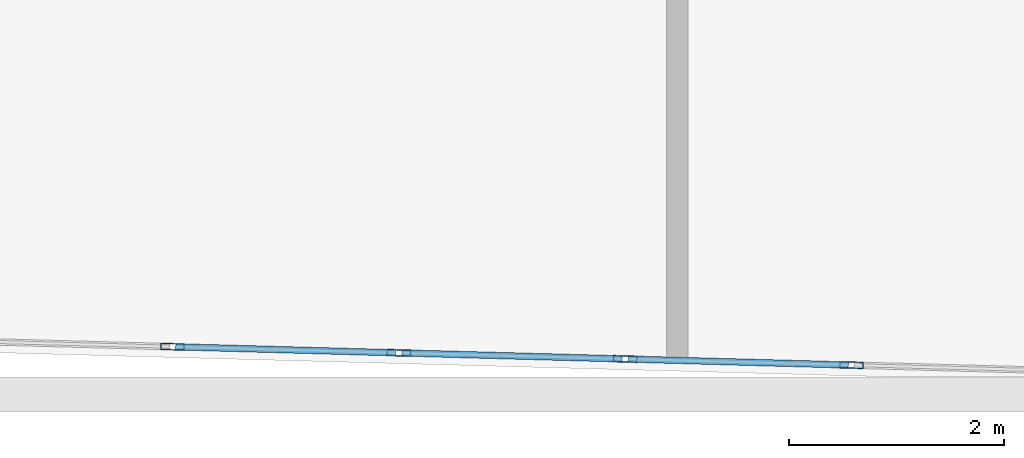
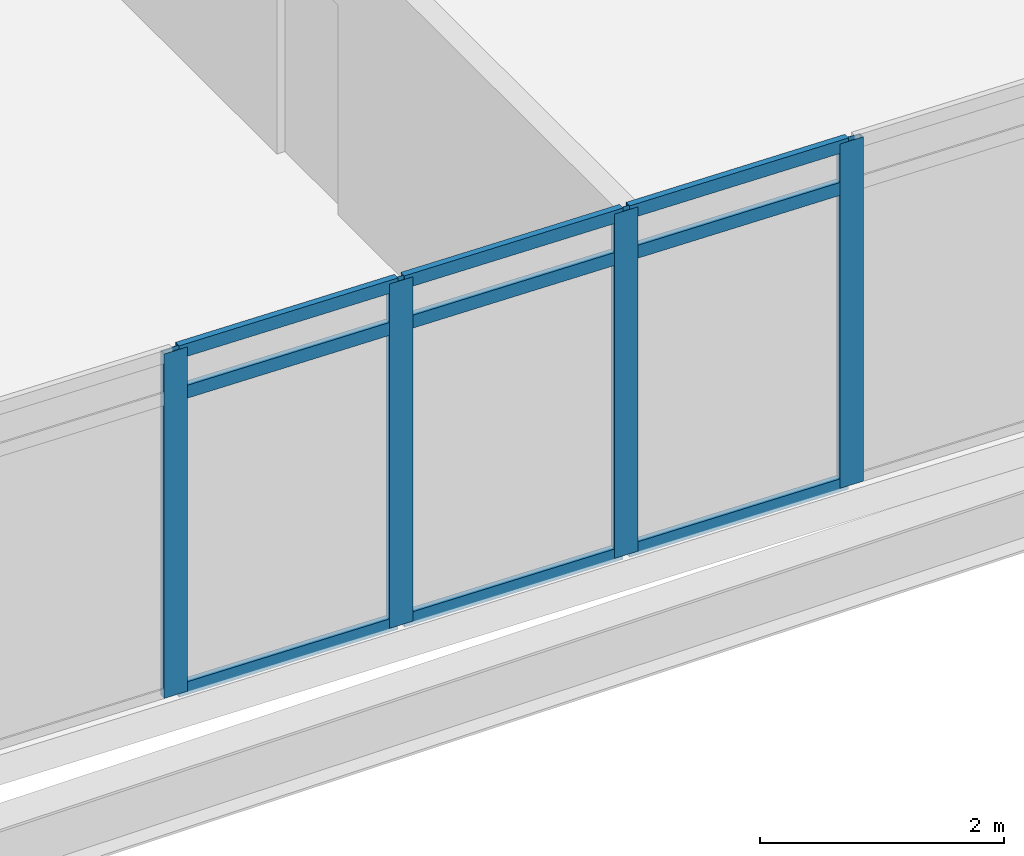
# One storey, part 7 of 28: 13 members, 1 element without a shape of its own.
"""IFC4 building model written with IfcOpenShell, lengths in metres."""

from ifc_helpers import new_model, si_unit, direction, frame, origin, origin_2d, place, context, subcontext, project, spatial, hollow_rectangle, extrude, material, material_profile, profile_set, type_object, element, aggregate, save


model = new_model("IFC4")

# Units and contexts
model_context = context("Model", 3, precision=1e-05, world=origin(), true_north=direction((0.0, 1.0)))
body_context = subcontext(model_context, "Body", "Model", "MODEL_VIEW")
ifc_project = project(units=[si_unit("LENGTHUNIT", "METRE"), si_unit("AREAUNIT", "SQUARE_METRE"), si_unit("VOLUMEUNIT", "CUBIC_METRE"), si_unit("PLANEANGLEUNIT", "RADIAN"), si_unit("MASSUNIT", "GRAM", prefix="KILO")], contexts=[model_context])

# Site, building, storey
site_placement = place(None, origin())
site = spatial("IfcSite", under=ifc_project, at=site_placement, CompositionType="ELEMENT")
building_placement = place(site_placement, origin())
building = spatial("IfcBuilding", under=site, at=building_placement, Name="Ostrander Bayou Hotel Tower", CompositionType="ELEMENT")
storey_placement = place(building_placement, frame((0.0, 0.0, 76.75)))
storey = spatial("IfcBuildingStorey", under=building, at=storey_placement, Name="L19", CompositionType="ELEMENT", Elevation=76.75)

# Curtain wall, members
ifc_material_1 = material(Name="Aluminium and clear glass", Category="aluminium")
curtain_wall_type = type_object("IfcCurtainWallType", Name="CW-BAR glazed wall", PredefinedType="NOTDEFINED", material=ifc_material_1)
curtain_wall_placement = place(storey_placement, origin())
curtain_wall = element("IfcCurtainWall", 1, at=curtain_wall_placement, inside=storey, type_object=curtain_wall_type, Name="CW-BAR L19:SB1S:T", PredefinedType="NOTDEFINED")
ifc_material_2 = material(Name="Aluminium", Category="aluminium")
ifc_material_profile_1 = material_profile(ifc_material_2, hollow_rectangle(XDim=0.06005859375, YDim=0.219970703125, WallThickness=0.00390625, at=origin_2d()))
ifc_profile_set_1 = profile_set([ifc_material_profile_1], Name="Aluminium")
member_type_1 = type_object("IfcMemberType", Name="CW-BR mullion 60 x 220 mm", PredefinedType="MULLION", material=ifc_profile_set_1)
member_1_placement = place(storey_placement, frame((2.101806640625, -32.5068359375, 0.0), z_axis=(0.0, 0.0, 1.0), x_axis=(0.027042484848, 0.999634285133, 0.0)))
member_1 = element("IfcMember", 2, at=member_1_placement, type_object=member_type_1, Name="CW-BAR mullion 9", PredefinedType="MULLION", context=body_context, shape_type="SweptSolid", body=[
    extrude(hollow_rectangle(XDim=0.06005859375, YDim=0.219970703125, WallThickness=0.00390625, at=origin_2d()), origin(), (0.0, 0.0, 1.0), 3.449951171875),
])
member_2_placement = place(storey_placement, frame((4.203369140625, -32.563720703125, 0.0), z_axis=(0.0, 0.0, 1.0), x_axis=(0.027042484848, 0.999634285133, 0.0)))
member_2 = element("IfcMember", 3, at=member_2_placement, type_object=member_type_1, Name="CW-BAR mullion 10", PredefinedType="MULLION", context=body_context, shape_type="SweptSolid", body=[
    extrude(hollow_rectangle(XDim=0.06005859375, YDim=0.219970703125, WallThickness=0.00390625, at=origin_2d()), origin(), (0.0, 0.0, 1.0), 3.449951171875),
])
member_3_placement = place(storey_placement, frame((6.30517578125, -32.62060546875, 0.0), z_axis=(0.0, 0.0, 1.0), x_axis=(0.027042484848, 0.999634285133, 0.0)))
member_3 = element("IfcMember", 4, at=member_3_placement, type_object=member_type_1, Name="CW-BAR mullion 11", PredefinedType="MULLION", context=body_context, shape_type="SweptSolid", body=[
    extrude(hollow_rectangle(XDim=0.06005859375, YDim=0.219970703125, WallThickness=0.00390625, at=origin_2d()), origin(), (0.0, 0.0, 1.0), 3.449951171875),
])
member_4_placement = place(storey_placement, frame((8.406982421875, -32.677490234375, 0.0), z_axis=(0.0, 0.0, 1.0), x_axis=(0.027042484848, 0.999634285133, 0.0)))
member_4 = element("IfcMember", 5, at=member_4_placement, type_object=member_type_1, Name="CW-BAR mullion 12", PredefinedType="MULLION", context=body_context, shape_type="SweptSolid", body=[
    extrude(hollow_rectangle(XDim=0.06005859375, YDim=0.219970703125, WallThickness=0.00390625, at=origin_2d()), origin(), (0.0, 0.0, 1.0), 3.449951171875),
])
ifc_material_3 = material(Name="Aluminium", Category="aluminium")
ifc_material_profile_2 = material_profile(ifc_material_3, hollow_rectangle(XDim=0.06005859375, YDim=0.1298828125, WallThickness=0.00390625, at=origin_2d()))
ifc_profile_set_2 = profile_set([ifc_material_profile_2], Name="Aluminium")
member_type_2 = type_object("IfcMemberType", Name="CW-BR transom 60 x 130 mm", PredefinedType="USERDEFINED", material=ifc_profile_set_2)
member_5_placement = place(storey_placement, frame((2.1318359375, -32.507568359375, 0.030029296875), z_axis=(0.999631822175, -0.027133376017, 0.0), x_axis=(0.027133376017, 0.999631822175, 0.0)))
member_5 = element("IfcMember", 6, at=member_5_placement, type_object=member_type_2, Name="CW-BAR transom 9.1", ObjectType="TRANSOM", PredefinedType="USERDEFINED", context=body_context, shape_type="SweptSolid", body=[
    extrude(hollow_rectangle(XDim=0.06005859375, YDim=0.1298828125, WallThickness=0.00390625, at=origin_2d()), origin(), (0.0, 0.0, 1.0), 2.04248046875),
])
member_6_placement = place(storey_placement, frame((2.1318359375, -32.507568359375, 3.0), z_axis=(0.999631822175, -0.027133376017, 0.0), x_axis=(0.027133376017, 0.999631822175, 0.0)))
member_6 = element("IfcMember", 7, at=member_6_placement, type_object=member_type_2, Name="CW-BAR transom 9.2", ObjectType="TRANSOM", PredefinedType="USERDEFINED", context=body_context, shape_type="SweptSolid", body=[
    extrude(hollow_rectangle(XDim=0.06005859375, YDim=0.1298828125, WallThickness=0.00390625, at=origin_2d()), origin(), (0.0, 0.0, 1.0), 2.04248046875),
])
member_7_placement = place(storey_placement, frame((2.1318359375, -32.507568359375, 3.419921875), z_axis=(0.999631822175, -0.027133376017, 0.0), x_axis=(0.027133376017, 0.999631822175, 0.0)))
member_7 = element("IfcMember", 8, at=member_7_placement, type_object=member_type_2, Name="CW-BAR transom 9.3", ObjectType="TRANSOM", PredefinedType="USERDEFINED", context=body_context, shape_type="SweptSolid", body=[
    extrude(hollow_rectangle(XDim=0.06005859375, YDim=0.1298828125, WallThickness=0.00390625, at=origin_2d()), origin(), (0.0, 0.0, 1.0), 2.04248046875),
])
member_8_placement = place(storey_placement, frame((4.2333984375, -32.564453125, 0.030029296875), z_axis=(0.999631822175, -0.027133376017, 0.0), x_axis=(0.027133376017, 0.999631822175, 0.0)))
member_8 = element("IfcMember", 9, at=member_8_placement, type_object=member_type_2, Name="CW-BAR transom 10.1", ObjectType="TRANSOM", PredefinedType="USERDEFINED", context=body_context, shape_type="SweptSolid", body=[
    extrude(hollow_rectangle(XDim=0.06005859375, YDim=0.1298828125, WallThickness=0.00390625, at=origin_2d()), origin(), (0.0, 0.0, 1.0), 2.04248046875),
])
member_9_placement = place(storey_placement, frame((4.2333984375, -32.564453125, 3.0), z_axis=(0.999631822175, -0.027133376017, 0.0), x_axis=(0.027133376017, 0.999631822175, 0.0)))
member_9 = element("IfcMember", 10, at=member_9_placement, type_object=member_type_2, Name="CW-BAR transom 10.2", ObjectType="TRANSOM", PredefinedType="USERDEFINED", context=body_context, shape_type="SweptSolid", body=[
    extrude(hollow_rectangle(XDim=0.06005859375, YDim=0.1298828125, WallThickness=0.00390625, at=origin_2d()), origin(), (0.0, 0.0, 1.0), 2.04248046875),
])
member_10_placement = place(storey_placement, frame((4.2333984375, -32.564453125, 3.419921875), z_axis=(0.999631822175, -0.027133376017, 0.0), x_axis=(0.027133376017, 0.999631822175, 0.0)))
member_10 = element("IfcMember", 11, at=member_10_placement, type_object=member_type_2, Name="CW-BAR transom 10.3", ObjectType="TRANSOM", PredefinedType="USERDEFINED", context=body_context, shape_type="SweptSolid", body=[
    extrude(hollow_rectangle(XDim=0.06005859375, YDim=0.1298828125, WallThickness=0.00390625, at=origin_2d()), origin(), (0.0, 0.0, 1.0), 2.04248046875),
])
member_11_placement = place(storey_placement, frame((6.335205078125, -32.621337890625, 0.030029296875), z_axis=(0.999635057116, -0.027013933147, 0.0), x_axis=(0.027013933147, 0.999635057116, 0.0)))
member_11 = element("IfcMember", 12, at=member_11_placement, type_object=member_type_2, Name="CW-BAR transom 11.1", ObjectType="TRANSOM", PredefinedType="USERDEFINED", context=body_context, shape_type="SweptSolid", body=[
    extrude(hollow_rectangle(XDim=0.06005859375, YDim=0.1298828125, WallThickness=0.00390625, at=origin_2d()), origin(), (0.0, 0.0, 1.0), 2.04248046875),
])
member_12_placement = place(storey_placement, frame((6.335205078125, -32.621337890625, 3.0), z_axis=(0.999635057116, -0.027013933147, 0.0), x_axis=(0.027013933147, 0.999635057116, 0.0)))
member_12 = element("IfcMember", 13, at=member_12_placement, type_object=member_type_2, Name="CW-BAR transom 11.2", ObjectType="TRANSOM", PredefinedType="USERDEFINED", context=body_context, shape_type="SweptSolid", body=[
    extrude(hollow_rectangle(XDim=0.06005859375, YDim=0.1298828125, WallThickness=0.00390625, at=origin_2d()), origin(), (0.0, 0.0, 1.0), 2.04248046875),
])
member_13_placement = place(storey_placement, frame((6.335205078125, -32.621337890625, 3.419921875), z_axis=(0.999635057116, -0.027013933147, 0.0), x_axis=(0.027013933147, 0.999635057116, 0.0)))
member_13 = element("IfcMember", 14, at=member_13_placement, type_object=member_type_2, Name="CW-BAR transom 11.3", ObjectType="TRANSOM", PredefinedType="USERDEFINED", context=body_context, shape_type="SweptSolid", body=[
    extrude(hollow_rectangle(XDim=0.06005859375, YDim=0.1298828125, WallThickness=0.00390625, at=origin_2d()), origin(), (0.0, 0.0, 1.0), 2.04248046875),
])
aggregate(curtain_wall, [member_1, member_2, member_3, member_4, member_5, member_6, member_7, member_8, member_9, member_10, member_11, member_12, member_13])

save(model, "model.ifc")
